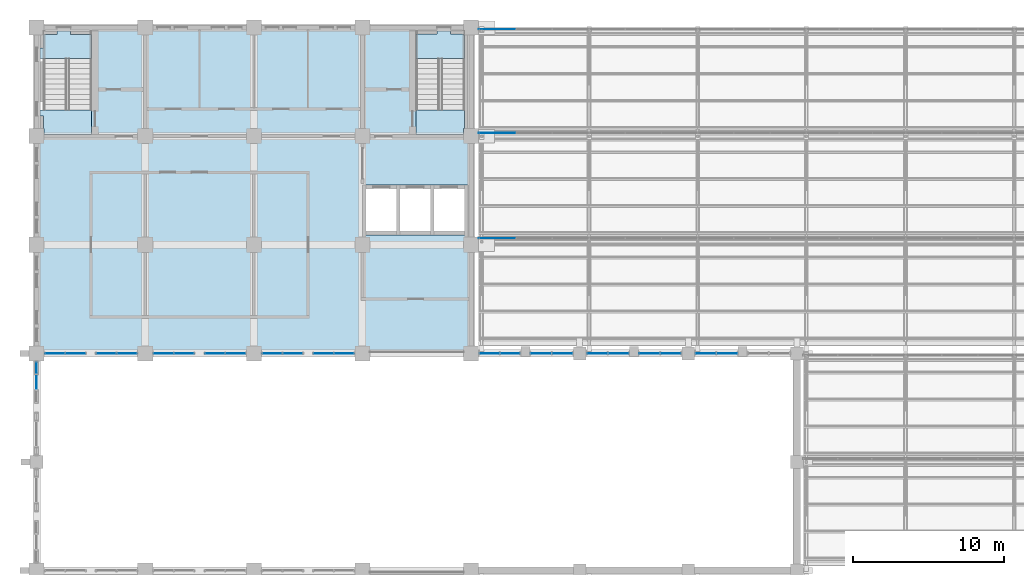
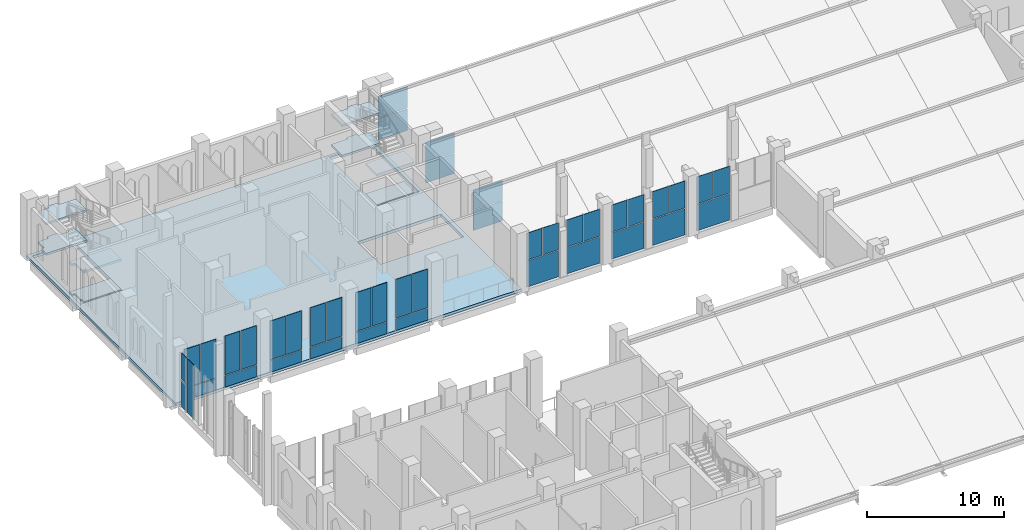
# One storey, part 63 of 83: 42 plates, 9 slabs, 17 elements without a shape of their own.
"""IFC4 building model written with IfcOpenShell, lengths in metres."""

from ifc_helpers import new_model, si_unit, direction, frame, origin, origin_2d, place, context, subcontext, project, spatial, polyline, rectangle, outline, extrude, material, layer, layer_set, type_object, element, aggregate, save


model = new_model("IFC4")

# Units and contexts
model_context = context("Model", 3, precision=1e-05, world=origin(), true_north=direction((0.0, 1.0)))
body_context = subcontext(model_context, "Body", "Model", "MODEL_VIEW")
ifc_project = project(units=[si_unit("LENGTHUNIT", "METRE"), si_unit("AREAUNIT", "SQUARE_METRE"), si_unit("VOLUMEUNIT", "CUBIC_METRE"), si_unit("PLANEANGLEUNIT", "RADIAN"), si_unit("MASSUNIT", "GRAM", prefix="KILO")], contexts=[model_context])

# Site, building, storey
site_placement = place(None, origin())
site = spatial("IfcSite", under=ifc_project, at=site_placement, CompositionType="ELEMENT")
building_placement = place(site_placement, origin())
building = spatial("IfcBuilding", under=site, at=building_placement, Name="Silangan Lancet Faculty of Sciences", CompositionType="ELEMENT")
storey_placement = place(building_placement, frame((0.0, 0.0, 11.39990234375)))
storey = spatial("IfcBuildingStorey", under=building, at=storey_placement, Name="L02", CompositionType="ELEMENT", Elevation=11.39990234375)

# Curtain wall, plate
ifc_material_1 = material(Name="Aluminium framed curtain wall with insulated glass", Category="aluminium")
curtain_wall_type_1 = type_object("IfcCurtainWallType", Name="CW3 West stepped lancet window", PredefinedType="NOTDEFINED", material=ifc_material_1)
curtain_wall_1_placement = place(storey_placement, origin())
curtain_wall_1 = element("IfcCurtainWall", 1, at=curtain_wall_1_placement, inside=storey, type_object=curtain_wall_type_1, Name="CW3 West window L02 bay 4", PredefinedType="NOTDEFINED")
ifc_material_2 = material(Name="Insulated glass unit 8+16+8 low-emissivity", Category="glass")
ifc_layer_1 = layer(ifc_material_2, 0.031982421875)
ifc_layer_set_1 = layer_set([ifc_layer_1], Name="Insulated glass unit 8+16+8 low-emissivity")
plate_type_1 = type_object("IfcPlateType", Name="CP1 Panel vision glass 32", PredefinedType="CURTAIN_PANEL", material=ifc_layer_set_1)
plate_1_placement = place(storey_placement, frame((0.0, 35.050048828125, 2.5), z_axis=(0.0, 0.0, 1.0), x_axis=(0.0, 1.0, 0.0)))
plate_1 = element("IfcPlate", 2, at=plate_1_placement, type_object=plate_type_1, Name="CW3 West window L02 bay 4 panel 4", PredefinedType="CURTAIN_PANEL", context=body_context, shape_type="SweptSolid", body=[
    extrude(rectangle(XDim=0.75, YDim=0.031982421875, at=origin_2d()), origin(), (0.0, 0.0, 1.0), 2.300048828125),
])

# Curtain wall, plates
ifc_material_3 = material(Name="Aluminium framed curtain wall with insulated glass", Category="aluminium")
curtain_wall_type_2 = type_object("IfcCurtainWallType", Name="CW5 Nave north light glazing", PredefinedType="NOTDEFINED", material=ifc_material_3)
curtain_wall_2_placement = place(storey_placement, origin())
curtain_wall_2 = element("IfcCurtainWall", 3, at=curtain_wall_2_placement, inside=storey, type_object=curtain_wall_type_2, Name="CW5 Nave north lights L02 bay 2", PredefinedType="NOTDEFINED")
plate_2_placement = place(storey_placement, frame((45.0625, 36.0, 0.0), z_axis=(0.0, 0.0, 1.0), x_axis=(-1.0, 0.0, 0.0)))
plate_2 = element("IfcPlate", 4, at=plate_2_placement, type_object=plate_type_1, Name="CW5 Nave north lights L02 bay 2 panel 1", PredefinedType="CURTAIN_PANEL", context=body_context, shape_type="SweptSolid", body=[
    extrude(rectangle(XDim=2.7548828125, YDim=0.031982421875, at=origin_2d()), origin(), (0.0, 0.0, 1.0), 2.340087890625),
])
plate_3_placement = place(storey_placement, frame((45.766357421875, 36.0, 2.400146484375), z_axis=(0.0, 0.0, 1.0), x_axis=(-1.0, 0.0, 0.0)))
plate_3 = element("IfcPlate", 5, at=plate_3_placement, type_object=plate_type_1, Name="CW5 Nave north lights L02 bay 2 panel 2", PredefinedType="CURTAIN_PANEL", context=body_context, shape_type="SweptSolid", body=[
    extrude(rectangle(XDim=1.347412109375, YDim=0.031982421875, at=origin_2d()), origin(), (0.0, 0.0, 1.0), 2.39990234375),
])
plate_4_placement = place(storey_placement, frame((44.358642578125, 36.0, 2.400146484375), z_axis=(0.0, 0.0, 1.0), x_axis=(-1.0, 0.0, 0.0)))
plate_4 = element("IfcPlate", 6, at=plate_4_placement, type_object=plate_type_1, Name="CW5 Nave north lights L02 bay 2 panel 3", PredefinedType="CURTAIN_PANEL", context=body_context, shape_type="SweptSolid", body=[
    extrude(rectangle(XDim=1.347412109375, YDim=0.031982421875, at=origin_2d()), origin(), (0.0, 0.0, 1.0), 2.39990234375),
])
aggregate(curtain_wall_2, [plate_2, plate_3, plate_4])

curtain_wall_3_placement = place(storey_placement, origin())
curtain_wall_3 = element("IfcCurtainWall", 7, at=curtain_wall_3_placement, inside=storey, type_object=curtain_wall_type_2, Name="CW5 Nave north lights L02 bay 3", PredefinedType="NOTDEFINED")
plate_5_placement = place(storey_placement, frame((41.337646484375, 36.0, 0.0), z_axis=(0.0, 0.0, 1.0), x_axis=(-1.0, 0.0, 0.0)))
plate_5 = element("IfcPlate", 8, at=plate_5_placement, type_object=plate_type_1, Name="CW5 Nave north lights L02 bay 3 panel 1", PredefinedType="CURTAIN_PANEL", context=body_context, shape_type="SweptSolid", body=[
    extrude(rectangle(XDim=2.7548828125, YDim=0.031982421875, at=origin_2d()), origin(), (0.0, 0.0, 1.0), 2.340087890625),
])
plate_6_placement = place(storey_placement, frame((42.041259765625, 36.0, 2.400146484375), z_axis=(0.0, 0.0, 1.0), x_axis=(-1.0, 0.0, 0.0)))
plate_6 = element("IfcPlate", 9, at=plate_6_placement, type_object=plate_type_1, Name="CW5 Nave north lights L02 bay 3 panel 2", PredefinedType="CURTAIN_PANEL", context=body_context, shape_type="SweptSolid", body=[
    extrude(rectangle(XDim=1.347412109375, YDim=0.031982421875, at=origin_2d()), origin(), (0.0, 0.0, 1.0), 2.39990234375),
])
plate_7_placement = place(storey_placement, frame((40.6337890625, 36.0, 2.400146484375), z_axis=(0.0, 0.0, 1.0), x_axis=(-1.0, 0.0, 0.0)))
plate_7 = element("IfcPlate", 10, at=plate_7_placement, type_object=plate_type_1, Name="CW5 Nave north lights L02 bay 3 panel 3", PredefinedType="CURTAIN_PANEL", context=body_context, shape_type="SweptSolid", body=[
    extrude(rectangle(XDim=1.347412109375, YDim=0.031982421875, at=origin_2d()), origin(), (0.0, 0.0, 1.0), 2.39990234375),
])
aggregate(curtain_wall_3, [plate_5, plate_6, plate_7])

curtain_wall_4_placement = place(storey_placement, origin())
curtain_wall_4 = element("IfcCurtainWall", 11, at=curtain_wall_4_placement, inside=storey, type_object=curtain_wall_type_2, Name="CW5 Nave north lights L02 bay 4", PredefinedType="NOTDEFINED")
plate_8_placement = place(storey_placement, frame((37.862548828125, 36.0, 0.0), z_axis=(0.0, 0.0, 1.0), x_axis=(-1.0, 0.0, 0.0)))
plate_8 = element("IfcPlate", 12, at=plate_8_placement, type_object=plate_type_1, Name="CW5 Nave north lights L02 bay 4 panel 1", PredefinedType="CURTAIN_PANEL", context=body_context, shape_type="SweptSolid", body=[
    extrude(rectangle(XDim=2.755126953125, YDim=0.031982421875, at=origin_2d()), origin(), (0.0, 0.0, 1.0), 2.340087890625),
])
plate_9_placement = place(storey_placement, frame((38.56640625, 36.0, 2.400146484375), z_axis=(0.0, 0.0, 1.0), x_axis=(-1.0, 0.0, 0.0)))
plate_9 = element("IfcPlate", 13, at=plate_9_placement, type_object=plate_type_1, Name="CW5 Nave north lights L02 bay 4 panel 2", PredefinedType="CURTAIN_PANEL", context=body_context, shape_type="SweptSolid", body=[
    extrude(rectangle(XDim=1.34765625, YDim=0.031982421875, at=origin_2d()), origin(), (0.0, 0.0, 1.0), 2.39990234375),
])
plate_10_placement = place(storey_placement, frame((37.15869140625, 36.0, 2.400146484375), z_axis=(0.0, 0.0, 1.0), x_axis=(-1.0, 0.0, 0.0)))
plate_10 = element("IfcPlate", 14, at=plate_10_placement, type_object=plate_type_1, Name="CW5 Nave north lights L02 bay 4 panel 3", PredefinedType="CURTAIN_PANEL", context=body_context, shape_type="SweptSolid", body=[
    extrude(rectangle(XDim=1.34765625, YDim=0.031982421875, at=origin_2d()), origin(), (0.0, 0.0, 1.0), 2.39990234375),
])
aggregate(curtain_wall_4, [plate_8, plate_9, plate_10])

curtain_wall_5_placement = place(storey_placement, origin())
curtain_wall_5 = element("IfcCurtainWall", 15, at=curtain_wall_5_placement, inside=storey, type_object=curtain_wall_type_2, Name="CW5 Nave north lights L02 bay 5", PredefinedType="NOTDEFINED")
plate_11_placement = place(storey_placement, frame((34.137451171875, 36.0, 0.0), z_axis=(0.0, 0.0, 1.0), x_axis=(-1.0, 0.0, 0.0)))
plate_11 = element("IfcPlate", 16, at=plate_11_placement, type_object=plate_type_1, Name="CW5 Nave north lights L02 bay 5 panel 1", PredefinedType="CURTAIN_PANEL", context=body_context, shape_type="SweptSolid", body=[
    extrude(rectangle(XDim=2.755126953125, YDim=0.031982421875, at=origin_2d()), origin(), (0.0, 0.0, 1.0), 2.340087890625),
])
plate_12_placement = place(storey_placement, frame((34.84130859375, 36.0, 2.400146484375), z_axis=(0.0, 0.0, 1.0), x_axis=(-1.0, 0.0, 0.0)))
plate_12 = element("IfcPlate", 17, at=plate_12_placement, type_object=plate_type_1, Name="CW5 Nave north lights L02 bay 5 panel 2", PredefinedType="CURTAIN_PANEL", context=body_context, shape_type="SweptSolid", body=[
    extrude(rectangle(XDim=1.34765625, YDim=0.031982421875, at=origin_2d()), origin(), (0.0, 0.0, 1.0), 2.39990234375),
])
plate_13_placement = place(storey_placement, frame((33.43359375, 36.0, 2.400146484375), z_axis=(0.0, 0.0, 1.0), x_axis=(-1.0, 0.0, 0.0)))
plate_13 = element("IfcPlate", 18, at=plate_13_placement, type_object=plate_type_1, Name="CW5 Nave north lights L02 bay 5 panel 3", PredefinedType="CURTAIN_PANEL", context=body_context, shape_type="SweptSolid", body=[
    extrude(rectangle(XDim=1.34765625, YDim=0.031982421875, at=origin_2d()), origin(), (0.0, 0.0, 1.0), 2.39990234375),
])
aggregate(curtain_wall_5, [plate_11, plate_12, plate_13])

curtain_wall_6_placement = place(storey_placement, origin())
curtain_wall_6 = element("IfcCurtainWall", 19, at=curtain_wall_6_placement, inside=storey, type_object=curtain_wall_type_2, Name="CW5 Nave north lights L02 bay 6", PredefinedType="NOTDEFINED")
plate_14_placement = place(storey_placement, frame((30.699951171875, 36.0, 0.0), z_axis=(0.0, 0.0, 1.0), x_axis=(-1.0, 0.0, 0.0)))
plate_14 = element("IfcPlate", 20, at=plate_14_placement, type_object=plate_type_1, Name="CW5 Nave north lights L02 bay 6 panel 1", PredefinedType="CURTAIN_PANEL", context=body_context, shape_type="SweptSolid", body=[
    extrude(rectangle(XDim=2.679931640625, YDim=0.031982421875, at=origin_2d()), origin(), (0.0, 0.0, 1.0), 2.340087890625),
])
plate_15_placement = place(storey_placement, frame((31.385009765625, 36.0, 2.400146484375), z_axis=(0.0, 0.0, 1.0), x_axis=(-1.0, 0.0, 0.0)))
plate_15 = element("IfcPlate", 21, at=plate_15_placement, type_object=plate_type_1, Name="CW5 Nave north lights L02 bay 6 panel 2", PredefinedType="CURTAIN_PANEL", context=body_context, shape_type="SweptSolid", body=[
    extrude(rectangle(XDim=1.31005859375, YDim=0.031982421875, at=origin_2d()), origin(), (0.0, 0.0, 1.0), 2.39990234375),
])
plate_16_placement = place(storey_placement, frame((30.014892578125, 36.0, 2.400146484375), z_axis=(0.0, 0.0, 1.0), x_axis=(-1.0, 0.0, 0.0)))
plate_16 = element("IfcPlate", 22, at=plate_16_placement, type_object=plate_type_1, Name="CW5 Nave north lights L02 bay 6 panel 3", PredefinedType="CURTAIN_PANEL", context=body_context, shape_type="SweptSolid", body=[
    extrude(rectangle(XDim=1.31005859375, YDim=0.031982421875, at=origin_2d()), origin(), (0.0, 0.0, 1.0), 2.39990234375),
])
aggregate(curtain_wall_6, [plate_14, plate_15, plate_16])

# Plate
ifc_material_4 = material(Name="Laminated insulated glass unit 10.76+14+8", Category="glass")
ifc_layer_2 = layer(ifc_material_4, 0.035888671875)
ifc_layer_set_2 = layer_set([ifc_layer_2], Name="Laminated insulated glass unit 10.76+14+8")
plate_type_2 = type_object("IfcPlateType", Name="CP2 Panel laminated glass 36", PredefinedType="CURTAIN_PANEL", material=ifc_layer_set_2)
plate_17_placement = place(storey_placement, frame((0.0, 35.050048828125, 0.000244140625), z_axis=(0.0, 0.0, 1.0), x_axis=(0.0, 1.0, 0.0)))
plate_17 = element("IfcPlate", 23, at=plate_17_placement, type_object=plate_type_2, Name="CW3 West window L02 bay 4 panel 2", PredefinedType="CURTAIN_PANEL", context=body_context, shape_type="SweptSolid", body=[
    extrude(rectangle(XDim=0.75, YDim=0.035888671875, at=origin_2d()), origin(), (0.0, 0.0, 1.0), 2.39990234375),
])

plate_18_placement = place(storey_placement, frame((0.0, 34.099853515625, 0.0), z_axis=(0.0, 0.0, 1.0), x_axis=(0.0, 1.0, 0.0)))
plate_18 = element("IfcPlate", 24, at=plate_18_placement, type_object=plate_type_2, Name="CW3 West window L02 bay 4 panel 5", PredefinedType="CURTAIN_PANEL", context=body_context, shape_type="SweptSolid", body=[
    extrude(rectangle(XDim=1.0, YDim=0.035888671875, at=origin_2d()), origin(), (0.0, 0.0, 1.0), 4.800048828125),
])

aggregate(curtain_wall_1, [plate_17, plate_1, plate_18])

# Curtain wall, plates
ifc_material_5 = material(Name="Aluminium framed curtain wall with insulated glass", Category="aluminium")
curtain_wall_type_3 = type_object("IfcCurtainWallType", Name="CW2 Atrium fire-resisting screen", PredefinedType="NOTDEFINED", material=ifc_material_5)
curtain_wall_7_placement = place(storey_placement, origin())
curtain_wall_7 = element("IfcCurtainWall", 25, at=curtain_wall_7_placement, inside=storey, type_object=curtain_wall_type_3, Name="CW2 Atrium north L02 bay 1", PredefinedType="NOTDEFINED")
ifc_material_6 = material(Name="Fire-resisting glass unit 40 mm, integrity E", Category="glass")
ifc_layer_3 = layer(ifc_material_6, 0.0400390625)
ifc_layer_set_3 = layer_set([ifc_layer_3], Name="Fire-resisting glass unit 40 mm, integrity E")
plate_type_3 = type_object("IfcPlateType", Name="CP3 Panel fire-resisting glass 40", PredefinedType="CURTAIN_PANEL", material=ifc_layer_set_3)
plate_19_placement = place(storey_placement, frame((1.900146484375, 36.0, 0.000244140625), z_axis=(0.0, 0.0, 1.0), x_axis=(1.0, 0.0, 0.0)))
plate_19 = element("IfcPlate", 26, at=plate_19_placement, type_object=plate_type_3, Name="CW2 Atrium north L02 bay 1 panel 1", PredefinedType="CURTAIN_PANEL", context=body_context, shape_type="SweptSolid", body=[
    extrude(rectangle(XDim=2.650146484375, YDim=0.0400390625, at=origin_2d()), origin(), (0.0, 0.0, 1.0), 1.02490234375),
])
plate_20_placement = place(storey_placement, frame((1.21875, 36.0, 1.10009765625), z_axis=(0.0, 0.0, 1.0), x_axis=(1.0, 0.0, 0.0)))
plate_20 = element("IfcPlate", 27, at=plate_20_placement, type_object=plate_type_3, Name="CW2 Atrium north L02 bay 1 panel 2", PredefinedType="CURTAIN_PANEL", context=body_context, shape_type="SweptSolid", body=[
    extrude(rectangle(XDim=1.28759765625, YDim=0.0400390625, at=origin_2d()), origin(), (0.0, 0.0, 1.0), 3.449951171875),
])
plate_21_placement = place(storey_placement, frame((2.581298828125, 36.0, 1.10009765625), z_axis=(0.0, 0.0, 1.0), x_axis=(1.0, 0.0, 0.0)))
plate_21 = element("IfcPlate", 28, at=plate_21_placement, type_object=plate_type_3, Name="CW2 Atrium north L02 bay 1 panel 3", PredefinedType="CURTAIN_PANEL", context=body_context, shape_type="SweptSolid", body=[
    extrude(rectangle(XDim=1.28759765625, YDim=0.0400390625, at=origin_2d()), origin(), (0.0, 0.0, 1.0), 3.449951171875),
])
aggregate(curtain_wall_7, [plate_19, plate_20, plate_21])

curtain_wall_8_placement = place(storey_placement, origin())
curtain_wall_8 = element("IfcCurtainWall", 29, at=curtain_wall_8_placement, inside=storey, type_object=curtain_wall_type_3, Name="CW2 Atrium north L02 bay 2", PredefinedType="NOTDEFINED")
plate_22_placement = place(storey_placement, frame((5.300048828125, 36.0, 0.000244140625), z_axis=(0.0, 0.0, 1.0), x_axis=(1.0, 0.0, 0.0)))
plate_22 = element("IfcPlate", 30, at=plate_22_placement, type_object=plate_type_3, Name="CW2 Atrium north L02 bay 2 panel 1", PredefinedType="CURTAIN_PANEL", context=body_context, shape_type="SweptSolid", body=[
    extrude(rectangle(XDim=2.64990234375, YDim=0.0400390625, at=origin_2d()), origin(), (0.0, 0.0, 1.0), 1.02490234375),
])
plate_23_placement = place(storey_placement, frame((4.618896484375, 36.0, 1.10009765625), z_axis=(0.0, 0.0, 1.0), x_axis=(1.0, 0.0, 0.0)))
plate_23 = element("IfcPlate", 31, at=plate_23_placement, type_object=plate_type_3, Name="CW2 Atrium north L02 bay 2 panel 2", PredefinedType="CURTAIN_PANEL", context=body_context, shape_type="SweptSolid", body=[
    extrude(rectangle(XDim=1.287353515625, YDim=0.0400390625, at=origin_2d()), origin(), (0.0, 0.0, 1.0), 3.449951171875),
])
plate_24_placement = place(storey_placement, frame((5.981201171875, 36.0, 1.10009765625), z_axis=(0.0, 0.0, 1.0), x_axis=(1.0, 0.0, 0.0)))
plate_24 = element("IfcPlate", 32, at=plate_24_placement, type_object=plate_type_3, Name="CW2 Atrium north L02 bay 2 panel 3", PredefinedType="CURTAIN_PANEL", context=body_context, shape_type="SweptSolid", body=[
    extrude(rectangle(XDim=1.287353515625, YDim=0.0400390625, at=origin_2d()), origin(), (0.0, 0.0, 1.0), 3.449951171875),
])
aggregate(curtain_wall_8, [plate_22, plate_23, plate_24])

curtain_wall_9_placement = place(storey_placement, origin())
curtain_wall_9 = element("IfcCurtainWall", 33, at=curtain_wall_9_placement, inside=storey, type_object=curtain_wall_type_3, Name="CW2 Atrium north L02 bay 3", PredefinedType="NOTDEFINED")
plate_25_placement = place(storey_placement, frame((9.10009765625, 36.0, 0.000244140625), z_axis=(0.0, 0.0, 1.0), x_axis=(1.0, 0.0, 0.0)))
plate_25 = element("IfcPlate", 34, at=plate_25_placement, type_object=plate_type_3, Name="CW2 Atrium north L02 bay 3 panel 1", PredefinedType="CURTAIN_PANEL", context=body_context, shape_type="SweptSolid", body=[
    extrude(rectangle(XDim=2.64990234375, YDim=0.0400390625, at=origin_2d()), origin(), (0.0, 0.0, 1.0), 1.02490234375),
])
plate_26_placement = place(storey_placement, frame((8.418701171875, 36.0, 1.10009765625), z_axis=(0.0, 0.0, 1.0), x_axis=(1.0, 0.0, 0.0)))
plate_26 = element("IfcPlate", 35, at=plate_26_placement, type_object=plate_type_3, Name="CW2 Atrium north L02 bay 3 panel 2", PredefinedType="CURTAIN_PANEL", context=body_context, shape_type="SweptSolid", body=[
    extrude(rectangle(XDim=1.28759765625, YDim=0.0400390625, at=origin_2d()), origin(), (0.0, 0.0, 1.0), 3.449951171875),
])
plate_27_placement = place(storey_placement, frame((9.78125, 36.0, 1.10009765625), z_axis=(0.0, 0.0, 1.0), x_axis=(1.0, 0.0, 0.0)))
plate_27 = element("IfcPlate", 36, at=plate_27_placement, type_object=plate_type_3, Name="CW2 Atrium north L02 bay 3 panel 3", PredefinedType="CURTAIN_PANEL", context=body_context, shape_type="SweptSolid", body=[
    extrude(rectangle(XDim=1.28759765625, YDim=0.0400390625, at=origin_2d()), origin(), (0.0, 0.0, 1.0), 3.449951171875),
])
aggregate(curtain_wall_9, [plate_25, plate_26, plate_27])

curtain_wall_10_placement = place(storey_placement, origin())
curtain_wall_10 = element("IfcCurtainWall", 37, at=curtain_wall_10_placement, inside=storey, type_object=curtain_wall_type_3, Name="CW2 Atrium north L02 bay 4", PredefinedType="NOTDEFINED")
plate_28_placement = place(storey_placement, frame((12.5, 36.0, 0.000244140625), z_axis=(0.0, 0.0, 1.0), x_axis=(1.0, 0.0, 0.0)))
plate_28 = element("IfcPlate", 38, at=plate_28_placement, type_object=plate_type_3, Name="CW2 Atrium north L02 bay 4 panel 1", PredefinedType="CURTAIN_PANEL", context=body_context, shape_type="SweptSolid", body=[
    extrude(rectangle(XDim=2.64990234375, YDim=0.0400390625, at=origin_2d()), origin(), (0.0, 0.0, 1.0), 1.02490234375),
])
plate_29_placement = place(storey_placement, frame((11.81884765625, 36.0, 1.10009765625), z_axis=(0.0, 0.0, 1.0), x_axis=(1.0, 0.0, 0.0)))
plate_29 = element("IfcPlate", 39, at=plate_29_placement, type_object=plate_type_3, Name="CW2 Atrium north L02 bay 4 panel 2", PredefinedType="CURTAIN_PANEL", context=body_context, shape_type="SweptSolid", body=[
    extrude(rectangle(XDim=1.28759765625, YDim=0.0400390625, at=origin_2d()), origin(), (0.0, 0.0, 1.0), 3.449951171875),
])
plate_30_placement = place(storey_placement, frame((13.18115234375, 36.0, 1.10009765625), z_axis=(0.0, 0.0, 1.0), x_axis=(1.0, 0.0, 0.0)))
plate_30 = element("IfcPlate", 40, at=plate_30_placement, type_object=plate_type_3, Name="CW2 Atrium north L02 bay 4 panel 3", PredefinedType="CURTAIN_PANEL", context=body_context, shape_type="SweptSolid", body=[
    extrude(rectangle(XDim=1.28759765625, YDim=0.0400390625, at=origin_2d()), origin(), (0.0, 0.0, 1.0), 3.449951171875),
])
aggregate(curtain_wall_10, [plate_28, plate_29, plate_30])

curtain_wall_11_placement = place(storey_placement, origin())
curtain_wall_11 = element("IfcCurtainWall", 41, at=curtain_wall_11_placement, inside=storey, type_object=curtain_wall_type_3, Name="CW2 Atrium north L02 bay 5", PredefinedType="NOTDEFINED")
plate_31_placement = place(storey_placement, frame((16.300048828125, 36.0, 0.000244140625), z_axis=(0.0, 0.0, 1.0), x_axis=(1.0, 0.0, 0.0)))
plate_31 = element("IfcPlate", 42, at=plate_31_placement, type_object=plate_type_3, Name="CW2 Atrium north L02 bay 5 panel 1", PredefinedType="CURTAIN_PANEL", context=body_context, shape_type="SweptSolid", body=[
    extrude(rectangle(XDim=2.64990234375, YDim=0.0400390625, at=origin_2d()), origin(), (0.0, 0.0, 1.0), 1.02490234375),
])
plate_32_placement = place(storey_placement, frame((15.61865234375, 36.0, 1.10009765625), z_axis=(0.0, 0.0, 1.0), x_axis=(1.0, 0.0, 0.0)))
plate_32 = element("IfcPlate", 43, at=plate_32_placement, type_object=plate_type_3, Name="CW2 Atrium north L02 bay 5 panel 2", PredefinedType="CURTAIN_PANEL", context=body_context, shape_type="SweptSolid", body=[
    extrude(rectangle(XDim=1.28759765625, YDim=0.0400390625, at=origin_2d()), origin(), (0.0, 0.0, 1.0), 3.449951171875),
])
plate_33_placement = place(storey_placement, frame((16.981201171875, 36.0, 1.10009765625), z_axis=(0.0, 0.0, 1.0), x_axis=(1.0, 0.0, 0.0)))
plate_33 = element("IfcPlate", 44, at=plate_33_placement, type_object=plate_type_3, Name="CW2 Atrium north L02 bay 5 panel 3", PredefinedType="CURTAIN_PANEL", context=body_context, shape_type="SweptSolid", body=[
    extrude(rectangle(XDim=1.28759765625, YDim=0.0400390625, at=origin_2d()), origin(), (0.0, 0.0, 1.0), 3.449951171875),
])
aggregate(curtain_wall_11, [plate_31, plate_32, plate_33])

curtain_wall_12_placement = place(storey_placement, origin())
curtain_wall_12 = element("IfcCurtainWall", 45, at=curtain_wall_12_placement, inside=storey, type_object=curtain_wall_type_3, Name="CW2 Atrium north L02 bay 6", PredefinedType="NOTDEFINED")
plate_34_placement = place(storey_placement, frame((19.699951171875, 36.0, 0.000244140625), z_axis=(0.0, 0.0, 1.0), x_axis=(1.0, 0.0, 0.0)))
plate_34 = element("IfcPlate", 46, at=plate_34_placement, type_object=plate_type_3, Name="CW2 Atrium north L02 bay 6 panel 1", PredefinedType="CURTAIN_PANEL", context=body_context, shape_type="SweptSolid", body=[
    extrude(rectangle(XDim=2.64990234375, YDim=0.0400390625, at=origin_2d()), origin(), (0.0, 0.0, 1.0), 1.02490234375),
])
plate_35_placement = place(storey_placement, frame((19.018798828125, 36.0, 1.10009765625), z_axis=(0.0, 0.0, 1.0), x_axis=(1.0, 0.0, 0.0)))
plate_35 = element("IfcPlate", 47, at=plate_35_placement, type_object=plate_type_3, Name="CW2 Atrium north L02 bay 6 panel 2", PredefinedType="CURTAIN_PANEL", context=body_context, shape_type="SweptSolid", body=[
    extrude(rectangle(XDim=1.28759765625, YDim=0.0400390625, at=origin_2d()), origin(), (0.0, 0.0, 1.0), 3.449951171875),
])
plate_36_placement = place(storey_placement, frame((20.38134765625, 36.0, 1.10009765625), z_axis=(0.0, 0.0, 1.0), x_axis=(1.0, 0.0, 0.0)))
plate_36 = element("IfcPlate", 48, at=plate_36_placement, type_object=plate_type_3, Name="CW2 Atrium north L02 bay 6 panel 3", PredefinedType="CURTAIN_PANEL", context=body_context, shape_type="SweptSolid", body=[
    extrude(rectangle(XDim=1.28759765625, YDim=0.0400390625, at=origin_2d()), origin(), (0.0, 0.0, 1.0), 3.449951171875),
])
aggregate(curtain_wall_12, [plate_34, plate_35, plate_36])

ifc_material_7 = material(Name="Aluminium and laminated glass", Category="aluminium")
curtain_wall_type_4 = type_object("IfcCurtainWallType", Name="North light glazing system", PredefinedType="NOTDEFINED", material=ifc_material_7)
curtain_wall_13_placement = place(storey_placement, origin())
curtain_wall_13 = element("IfcCurtainWall", 49, at=curtain_wall_13_placement, inside=storey, type_object=curtain_wall_type_4, Name="North light glazing NAB-1-1", PredefinedType="NOTDEFINED")
ifc_material_8 = material(Name="Laminated glass 12 + 12", Category="glass")
ifc_layer_4 = layer(ifc_material_8, 0.02392578125)
ifc_layer_set_4 = layer_set([ifc_layer_4], Name="Laminated glass 12 + 12")
plate_type_4 = type_object("IfcPlateType", Name="North light glass panel 2432x1773", PredefinedType="CURTAIN_PANEL", material=ifc_layer_set_4)
plate_37_placement = place(storey_placement, frame((29.300048828125, 43.61962890625, 0.4423828125), z_axis=(0.0, -1.0, 0.0), x_axis=(1.0, 0.0, 0.0)))
plate_37 = element("IfcPlate", 50, at=plate_37_placement, type_object=plate_type_4, Name="North light glass NAB-1-1 1-1", PredefinedType="CURTAIN_PANEL", context=body_context, shape_type="SweptSolid", body=[
    extrude(outline(polyline([(0.0, 0.0), (2.431640625, 0.0), (2.431640625, 1.77294921875), (0.0, 1.77294921875), (0.0, 0.0)])), origin(), (0.0, 0.0, -1.0), 0.02392578125),
])
plate_38_placement = place(storey_placement, frame((29.300048828125, 43.61962890625, 2.275390625), z_axis=(0.0, -1.0, 0.0), x_axis=(1.0, 0.0, 0.0)))
plate_38 = element("IfcPlate", 51, at=plate_38_placement, type_object=plate_type_4, Name="North light glass NAB-1-1 2-1", PredefinedType="CURTAIN_PANEL", context=body_context, shape_type="SweptSolid", body=[
    extrude(outline(polyline([(0.0, 0.0), (2.431640625, 0.0), (2.431640625, 1.77294921875), (0.0, 1.77294921875), (0.0, 0.0)])), origin(), (0.0, 0.0, -1.0), 0.02392578125),
])
aggregate(curtain_wall_13, [plate_37, plate_38])

curtain_wall_14_placement = place(storey_placement, origin())
curtain_wall_14 = element("IfcCurtainWall", 52, at=curtain_wall_14_placement, inside=storey, type_object=curtain_wall_type_4, Name="North light glazing NAB-2-1", PredefinedType="NOTDEFINED")
plate_39_placement = place(storey_placement, frame((29.300048828125, 50.601318359375, 0.4423828125), z_axis=(0.0, -1.0, 0.0), x_axis=(1.0, 0.0, 0.0)))
plate_39 = element("IfcPlate", 53, at=plate_39_placement, type_object=plate_type_4, Name="North light glass NAB-2-1 1-1", PredefinedType="CURTAIN_PANEL", context=body_context, shape_type="SweptSolid", body=[
    extrude(outline(polyline([(0.0, 0.0), (2.431640625, 0.0), (2.431640625, 1.77294921875), (0.0, 1.77294921875), (0.0, 0.0)])), origin(), (0.0, 0.0, -1.0), 0.02392578125),
])
plate_40_placement = place(storey_placement, frame((29.300048828125, 50.601318359375, 2.275390625), z_axis=(0.0, -1.0, 0.0), x_axis=(1.0, 0.0, 0.0)))
plate_40 = element("IfcPlate", 54, at=plate_40_placement, type_object=plate_type_4, Name="North light glass NAB-2-1 2-1", PredefinedType="CURTAIN_PANEL", context=body_context, shape_type="SweptSolid", body=[
    extrude(outline(polyline([(0.0, 0.0), (2.431640625, 0.0), (2.431640625, 1.77294921875), (0.0, 1.77294921875), (0.0, 0.0)])), origin(), (0.0, 0.0, -1.0), 0.02392578125),
])
aggregate(curtain_wall_14, [plate_39, plate_40])

curtain_wall_15_placement = place(storey_placement, origin())
curtain_wall_15 = element("IfcCurtainWall", 55, at=curtain_wall_15_placement, inside=storey, type_object=curtain_wall_type_4, Name="North light glazing NAB-3-1", PredefinedType="NOTDEFINED")
ifc_material_9 = material(Name="Laminated glass 12 + 12", Category="glass")
ifc_layer_5 = layer(ifc_material_9, 0.02392578125)
ifc_layer_set_5 = layer_set([ifc_layer_5], Name="Laminated glass 12 + 12")
plate_type_5 = type_object("IfcPlateType", Name="North light glass panel 2432x1917", PredefinedType="CURTAIN_PANEL", material=ifc_layer_set_5)
plate_41_placement = place(storey_placement, frame((29.300048828125, 57.472900390625, 0.10009765625), z_axis=(0.0, -1.0, 0.0), x_axis=(1.0, 0.0, 0.0)))
plate_41 = element("IfcPlate", 56, at=plate_41_placement, type_object=plate_type_5, Name="North light glass NAB-3-1 1-1", PredefinedType="CURTAIN_PANEL", context=body_context, shape_type="SweptSolid", body=[
    extrude(outline(polyline([(0.0, 0.0), (2.431640625, 0.0), (2.431640625, 1.9169921875), (0.0, 1.9169921875), (0.0, 0.0)])), origin(), (0.0, 0.0, -1.0), 0.02392578125),
])
plate_42_placement = place(storey_placement, frame((29.300048828125, 57.472900390625, 2.0771484375), z_axis=(0.0, -1.0, 0.0), x_axis=(1.0, 0.0, 0.0)))
plate_42 = element("IfcPlate", 57, at=plate_42_placement, type_object=plate_type_5, Name="North light glass NAB-3-1 2-1", PredefinedType="CURTAIN_PANEL", context=body_context, shape_type="SweptSolid", body=[
    extrude(outline(polyline([(0.0, 0.0), (2.431640625, 0.0), (2.431640625, 1.9169921875), (0.0, 1.9169921875), (0.0, 0.0)])), origin(), (0.0, 0.0, -1.0), 0.02392578125),
])
aggregate(curtain_wall_15, [plate_41, plate_42])

# Slab
ifc_material_10 = material(Name="Concrete C35/45", Category="concrete")
ifc_layer_6 = layer(ifc_material_10, 0.25)
ifc_layer_set_6 = layer_set([ifc_layer_6], Name="Concrete C35/45")
slab_type_1 = type_object("IfcSlabType", Name="SLAB FLOOR 250", PredefinedType="FLOOR", material=ifc_layer_set_6)
slab_1_placement = place(storey_placement, frame((0.0, 0.0, -0.25)))
element("IfcSlab", 58, at=slab_1_placement, inside=storey, type_object=slab_type_1, Name="SLAB-L02-NT", PredefinedType="FLOOR", context=body_context, shape_type="SweptSolid", body=[
    extrude(outline(polyline([(-0.14990234375, 36.0), (28.949951171875, 36.0), (28.949951171875, 57.75), (-0.14990234375, 57.75), (-0.14990234375, 36.0)]), holes=[polyline([(21.60009765625, 43.85009765625), (21.60009765625, 47.14990234375), (28.60009765625, 47.14990234375), (28.60009765625, 43.85009765625), (21.60009765625, 43.85009765625)]), polyline([(0.14990234375, 50.39990234375), (0.14990234375, 57.449951171875), (3.64990234375, 57.449951171875), (3.64990234375, 50.39990234375), (0.14990234375, 50.39990234375)]), polyline([(25.14990234375, 57.449951171875), (28.64990234375, 57.449951171875), (28.64990234375, 50.39990234375), (25.14990234375, 50.39990234375), (25.14990234375, 57.449951171875)])]), origin(), (0.0, 0.0, 1.0), 0.25),
])

# Stair, slabs
ifc_material_11 = material(Name="Concrete C40/50", Category="concrete")
stair_type = type_object("IfcStairType", Name="TURRET STAIR 1550 FOUR-FLIGHT", PredefinedType="DOUBLE_RETURN_STAIR", material=ifc_material_11)
stair_1_placement = place(storey_placement, origin())
stair_1 = element("IfcStair", 59, at=stair_1_placement, inside=storey, type_object=stair_type, Name="NT-A stair L02", PredefinedType="DOUBLE_RETURN_STAIR")
ifc_material_12 = material(Name="Concrete C40/50", Category="concrete")
ifc_layer_7 = layer(ifc_material_12, 0.179931640625)
ifc_layer_set_7 = layer_set([ifc_layer_7], Name="Concrete C40/50")
slab_type_2 = type_object("IfcSlabType", Name="TURRET STAIR LANDING RC 180", PredefinedType="LANDING", material=ifc_layer_set_7)
slab_2_placement = place(storey_placement, frame((0.0, 0.0, -0.179931640625)))
slab_2 = element("IfcSlab", 60, at=slab_2_placement, type_object=slab_type_2, Name="STR3 landing 1", PredefinedType="LANDING", context=body_context, shape_type="SweptSolid", body=[
    extrude(outline(polyline([(0.449951171875, 50.89990234375), (0.449951171875, 51.75), (0.22509765625, 51.75), (0.22509765625, 52.14990234375), (3.64990234375, 52.14990234375), (3.64990234375, 50.52490234375), (0.5, 50.52490234375), (0.5, 50.89990234375), (0.449951171875, 50.89990234375)])), origin(), (0.0, 0.0, 1.0), 0.179931640625),
])
slab_3_placement = place(storey_placement, frame((0.0, 0.0, 1.170166015625)))
slab_3 = element("IfcSlab", 61, at=slab_3_placement, type_object=slab_type_2, Name="STR3 landing 2", PredefinedType="LANDING", context=body_context, shape_type="SweptSolid", body=[
    extrude(outline(polyline([(0.22509765625, 56.25), (0.449951171875, 56.25), (0.449951171875, 57.10009765625), (0.5, 57.10009765625), (0.5, 57.14990234375), (1.35009765625, 57.14990234375), (1.35009765625, 57.375), (2.25, 57.375), (2.25, 57.14990234375), (3.64990234375, 57.14990234375), (3.64990234375, 55.550048828125), (0.22509765625, 55.550048828125), (0.22509765625, 56.25)])), origin(), (0.0, 0.0, 1.0), 0.179931640625),
])
slab_4_placement = place(storey_placement, frame((0.0, 0.0, 2.52001953125)))
slab_4 = element("IfcSlab", 62, at=slab_4_placement, type_object=slab_type_2, Name="STR3 landing 3", PredefinedType="LANDING", context=body_context, shape_type="SweptSolid", body=[
    extrude(outline(polyline([(0.449951171875, 50.89990234375), (0.449951171875, 51.75), (0.22509765625, 51.75), (0.22509765625, 52.14990234375), (3.64990234375, 52.14990234375), (3.64990234375, 50.52490234375), (0.5, 50.52490234375), (0.5, 50.89990234375), (0.449951171875, 50.89990234375)])), origin(), (0.0, 0.0, 1.0), 0.18017578125),
])
slab_5_placement = place(storey_placement, frame((0.0, 0.0, 3.8701171875)))
slab_5 = element("IfcSlab", 63, at=slab_5_placement, type_object=slab_type_2, Name="STR3 landing 4", PredefinedType="LANDING", context=body_context, shape_type="SweptSolid", body=[
    extrude(outline(polyline([(0.22509765625, 56.25), (0.449951171875, 56.25), (0.449951171875, 57.10009765625), (0.5, 57.10009765625), (0.5, 57.14990234375), (1.35009765625, 57.14990234375), (1.35009765625, 57.375), (2.25, 57.375), (2.25, 57.14990234375), (3.64990234375, 57.14990234375), (3.64990234375, 55.550048828125), (0.22509765625, 55.550048828125), (0.22509765625, 56.25)])), origin(), (0.0, 0.0, 1.0), 0.179931640625),
])
aggregate(stair_1, [slab_2, slab_3, slab_4, slab_5])

stair_2_placement = place(storey_placement, origin())
stair_2 = element("IfcStair", 64, at=stair_2_placement, inside=storey, type_object=stair_type, Name="NT-B stair L02", PredefinedType="DOUBLE_RETURN_STAIR")
slab_6_placement = place(storey_placement, frame((0.0, 0.0, -0.179931640625)))
slab_6 = element("IfcSlab", 65, at=slab_6_placement, type_object=slab_type_2, Name="STR4 landing 1", PredefinedType="LANDING", context=body_context, shape_type="SweptSolid", body=[
    extrude(outline(polyline([(25.14990234375, 50.52490234375), (25.14990234375, 52.14990234375), (28.375, 52.14990234375), (28.375, 50.89990234375), (28.300048828125, 50.89990234375), (28.300048828125, 50.52490234375), (25.14990234375, 50.52490234375)])), origin(), (0.0, 0.0, 1.0), 0.179931640625),
])
slab_7_placement = place(storey_placement, frame((0.0, 0.0, 1.170166015625)))
slab_7 = element("IfcSlab", 66, at=slab_7_placement, type_object=slab_type_2, Name="STR4 landing 2", PredefinedType="LANDING", context=body_context, shape_type="SweptSolid", body=[
    extrude(outline(polyline([(26.550048828125, 57.175048828125), (26.550048828125, 57.375), (27.449951171875, 57.375), (27.449951171875, 57.175048828125), (28.300048828125, 57.175048828125), (28.300048828125, 57.10009765625), (28.375, 57.10009765625), (28.375, 55.550048828125), (25.14990234375, 55.550048828125), (25.14990234375, 57.175048828125), (26.550048828125, 57.175048828125)])), origin(), (0.0, 0.0, 1.0), 0.179931640625),
])
slab_8_placement = place(storey_placement, frame((0.0, 0.0, 2.52001953125)))
slab_8 = element("IfcSlab", 67, at=slab_8_placement, type_object=slab_type_2, Name="STR4 landing 3", PredefinedType="LANDING", context=body_context, shape_type="SweptSolid", body=[
    extrude(outline(polyline([(25.14990234375, 50.52490234375), (25.14990234375, 52.14990234375), (28.375, 52.14990234375), (28.375, 50.89990234375), (28.300048828125, 50.89990234375), (28.300048828125, 50.52490234375), (25.14990234375, 50.52490234375)])), origin(), (0.0, 0.0, 1.0), 0.18017578125),
])
slab_9_placement = place(storey_placement, frame((0.0, 0.0, 3.8701171875)))
slab_9 = element("IfcSlab", 68, at=slab_9_placement, type_object=slab_type_2, Name="STR4 landing 4", PredefinedType="LANDING", context=body_context, shape_type="SweptSolid", body=[
    extrude(outline(polyline([(26.550048828125, 57.175048828125), (26.550048828125, 57.375), (27.449951171875, 57.375), (27.449951171875, 57.175048828125), (28.300048828125, 57.175048828125), (28.300048828125, 57.10009765625), (28.375, 57.10009765625), (28.375, 55.550048828125), (25.14990234375, 55.550048828125), (25.14990234375, 57.175048828125), (26.550048828125, 57.175048828125)])), origin(), (0.0, 0.0, 1.0), 0.179931640625),
])
aggregate(stair_2, [slab_6, slab_7, slab_8, slab_9])

save(model, "model.ifc")
